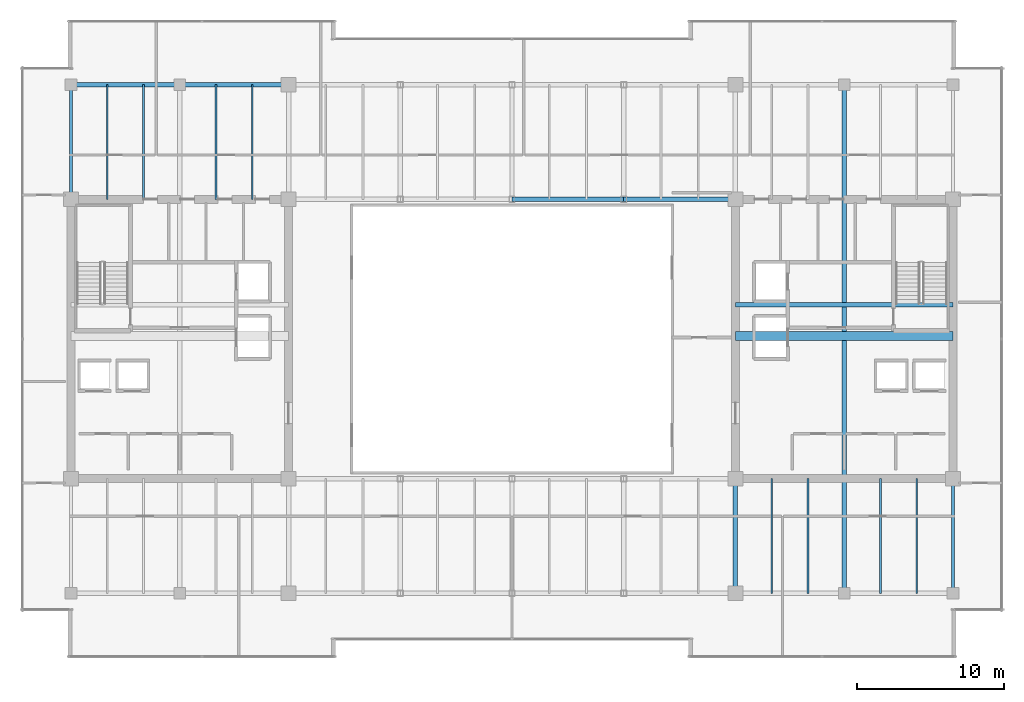
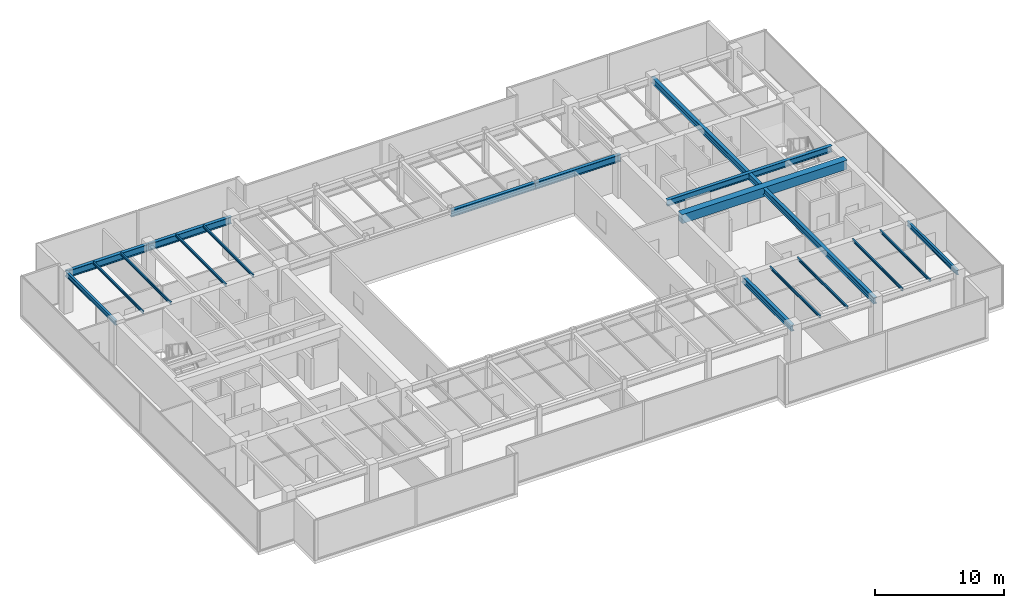
# One storey, part 14 of 33: 18 beams.
"""IFC4 building model written with IfcOpenShell, lengths in metres."""

from ifc_helpers import new_model, si_unit, direction, frame, origin, origin_2d, place, context, subcontext, project, spatial, rectangle, i_section, extrude, source, transform, mapped, material, material_profile, profile_set, type_object, type_shapes, element, save


model = new_model("IFC4")

# Units and contexts
model_context = context("Model", 3, precision=1e-05, world=origin(), true_north=direction((0.0, 1.0)))
body_context = subcontext(model_context, "Body", "Model", "MODEL_VIEW")
ifc_project = project(units=[si_unit("LENGTHUNIT", "METRE"), si_unit("AREAUNIT", "SQUARE_METRE"), si_unit("VOLUMEUNIT", "CUBIC_METRE"), si_unit("PLANEANGLEUNIT", "RADIAN"), si_unit("MASSUNIT", "GRAM", prefix="KILO")], contexts=[model_context])

# Site, building, storey
site_placement = place(None, origin())
site = spatial("IfcSite", under=ifc_project, at=site_placement, CompositionType="ELEMENT")
building_placement = place(site_placement, origin())
building = spatial("IfcBuilding", under=site, at=building_placement, Name="Haelvirn Gate Laboratories", CompositionType="ELEMENT")
storey_placement = place(building_placement, frame((0.0, 0.0, 258.800048828125)))
storey = spatial("IfcBuildingStorey", under=building, at=storey_placement, Name="L62", CompositionType="ELEMENT", Elevation=258.800048828125)

# Beams
ifc_material_1 = material(Name="Steel SM355", Category="steel")
ifc_material_profile_1 = material_profile(ifc_material_1, i_section(OverallWidth=0.300048828125, OverallDepth=0.587890625, WebThickness=0.011962890625, FlangeThickness=0.02001953125, at=origin_2d()), Name="H-588x300x12x20")
ifc_profile_set_1 = profile_set([ifc_material_profile_1], Name="Steel SM355")
beam_type_1 = type_object("IfcBeamType", Name="BM-G-588", PredefinedType="BEAM", material=ifc_profile_set_1)
shared_shape_1 = source(origin(), body_context, "Body", "SweptSolid", [
    extrude(i_section(OverallWidth=0.300048828125, OverallDepth=0.587890625, WebThickness=0.011962890625, FlangeThickness=0.02001953125, at=origin_2d()), origin(), (0.0, 0.0, 1.0), 14.7998046875),
])
beam_1_placement = place(storey_placement, frame((52.60009765625, 26.6201171875, 3.505859375), z_axis=(1.0, 0.0, 0.0), x_axis=(0.0, 1.0, 0.0)))
element("IfcBeam", 1, at=beam_1_placement, inside=storey, type_object=beam_type_1, Name="L62 Stair ST2 Landing Header", PredefinedType="BEAM", context=body_context, shape_type="MappedRepresentation", body=[
    mapped(shared_shape_1, transform((0.0, 0.0, 0.0), scale=1.0)),
])
shared_shape_2 = source(origin(), body_context, "Body", "SweptSolid", [
    extrude(i_section(OverallWidth=0.300048828125, OverallDepth=0.587890625, WebThickness=0.011962890625, FlangeThickness=0.02001953125, at=origin_2d()), origin(), (0.0, 0.0, 1.0), 34.60009765625),
])
beam_2_placement = place(storey_placement, frame((60.0, 7.0, 3.505859375), z_axis=(0.0, 1.0, 0.0), x_axis=(-1.0, 0.0, 0.0)))
element("IfcBeam", 2, at=beam_2_placement, inside=storey, type_object=beam_type_1, Name="L62 Frame Girder X60.0 (7.0-41.6)", PredefinedType="BEAM", context=body_context, shape_type="MappedRepresentation", body=[
    mapped(shared_shape_2, transform((0.0, 0.0, 0.0), scale=1.0)),
])
shared_shape_3 = source(origin(), body_context, "Body", "SweptSolid", [
    extrude(i_section(OverallWidth=0.300048828125, OverallDepth=0.587890625, WebThickness=0.011962890625, FlangeThickness=0.02001953125, at=origin_2d()), origin(), (0.0, 0.0, 1.0), 7.800048828125),
])
type_shapes(beam_type_1, [shared_shape_1, shared_shape_2, shared_shape_3])
beam_3_placement = place(storey_placement, frame((52.60009765625, 7.0, 3.505859375), z_axis=(0.0, 1.0, 0.0), x_axis=(-1.0, 0.0, 0.0)))
element("IfcBeam", 3, at=beam_3_placement, inside=storey, type_object=beam_type_1, Name="L62 Frame Girder X52.6 (7.0-14.8)", PredefinedType="BEAM", context=body_context, shape_type="MappedRepresentation", body=[
    mapped(shared_shape_3, transform((0.0, 0.0, 0.0), scale=1.0)),
])
ifc_material_2 = material(Name="Concrete C50/60", Category="concrete")
ifc_material_profile_2 = material_profile(ifc_material_2, rectangle(XDim=0.60009765625, YDim=0.85009765625, at=origin_2d()), Name="RCB-600x850")
ifc_profile_set_2 = profile_set([ifc_material_profile_2], Name="Concrete C50/60")
beam_type_2 = type_object("IfcBeamType", Name="BM-RCB-850", PredefinedType="LINTEL", material=ifc_profile_set_2)
shared_shape_4 = source(origin(), body_context, "Body", "SweptSolid", [
    extrude(rectangle(XDim=0.60009765625, YDim=0.85009765625, at=origin_2d()), origin(), (0.0, 0.0, 1.0), 14.7998046875),
])
type_shapes(beam_type_2, [shared_shape_4])
beam_4_placement = place(storey_placement, frame((52.60009765625, 24.5, 3.375), z_axis=(1.0, 0.0, 0.0), x_axis=(0.0, 1.0, 0.0)))
element("IfcBeam", 4, at=beam_4_placement, inside=storey, type_object=beam_type_2, Name="L62 East Core Coupling Beam", PredefinedType="LINTEL", context=body_context, shape_type="MappedRepresentation", body=[
    mapped(shared_shape_4, transform((0.0, 0.0, 0.0), scale=1.0)),
])
ifc_material_profile_3 = material_profile(ifc_material_1, i_section(OverallWidth=0.300048828125, OverallDepth=0.64990234375, WebThickness=0.012939453125, FlangeThickness=0.02197265625, at=origin_2d()), Name="H-650x300x13x22")
ifc_profile_set_3 = profile_set([ifc_material_profile_3], Name="Steel SM355")
beam_type_3 = type_object("IfcBeamType", Name="BM-G-650", PredefinedType="BEAM", material=ifc_profile_set_3)
shared_shape_5 = source(origin(), body_context, "Body", "SweptSolid", [
    extrude(i_section(OverallWidth=0.300048828125, OverallDepth=0.64990234375, WebThickness=0.012939453125, FlangeThickness=0.02197265625, at=origin_2d()), origin(), (0.0, 0.0, 1.0), 7.400146484375),
])
beam_5_placement = place(storey_placement, frame((7.39990234375, 41.60009765625, 3.474853515625), z_axis=(1.0, 0.0, 0.0), x_axis=(0.0, 1.0, 0.0)))
element("IfcBeam", 5, at=beam_5_placement, inside=storey, type_object=beam_type_3, Name="L62 Primary Girder Y41.6 (7.4-14.8)", PredefinedType="BEAM", context=body_context, shape_type="MappedRepresentation", body=[
    mapped(shared_shape_5, transform((0.0, 0.0, 0.0), scale=1.0)),
])
shared_shape_6 = source(origin(), body_context, "Body", "SweptSolid", [
    extrude(i_section(OverallWidth=0.300048828125, OverallDepth=0.64990234375, WebThickness=0.012939453125, FlangeThickness=0.02197265625, at=origin_2d()), origin(), (0.0, 0.0, 1.0), 7.39990234375),
])
beam_6_placement = place(storey_placement, frame((14.800048828125, 41.60009765625, 3.474853515625), z_axis=(1.0, 0.0, 0.0), x_axis=(0.0, 1.0, 0.0)))
element("IfcBeam", 6, at=beam_6_placement, inside=storey, type_object=beam_type_3, Name="L62 Primary Girder Y41.6 (14.8-22.2)", PredefinedType="BEAM", context=body_context, shape_type="MappedRepresentation", body=[
    mapped(shared_shape_6, transform((0.0, 0.0, 0.0), scale=1.0)),
])
shared_shape_7 = source(origin(), body_context, "Body", "SweptSolid", [
    extrude(i_section(OverallWidth=0.300048828125, OverallDepth=0.64990234375, WebThickness=0.012939453125, FlangeThickness=0.02197265625, at=origin_2d()), origin(), (0.0, 0.0, 1.0), 7.60009765625),
])
type_shapes(beam_type_3, [shared_shape_5, shared_shape_6, shared_shape_7])
for number, where, z_axis, x_axis, name in (
    (7, (37.39990234375, 33.800048828125, 3.474853515625), (1.0, 0.0, 0.0), (0.0, 1.0, 0.0), "L62 Primary Girder Y33.8 (37.4-45.0)"),
    (8, (45.0, 33.800048828125, 3.474853515625), (1.0, 0.0, 0.0), (0.0, 1.0, 0.0), "L62 Primary Girder Y33.8 (45.0-52.6)"),
):
    element("IfcBeam", number, at=place(storey_placement, frame(where, z_axis=z_axis, x_axis=x_axis)), inside=storey, type_object=beam_type_3, Name=name, PredefinedType="BEAM", context=body_context, shape_type="MappedRepresentation", body=[
        mapped(shared_shape_7, transform((0.0, 0.0, 0.0), scale=1.0)),
    ])
ifc_material_profile_4 = material_profile(ifc_material_1, i_section(OverallWidth=0.199951171875, OverallDepth=0.449951171875, WebThickness=0.009033203125, FlangeThickness=0.013916015625, at=origin_2d()), Name="H-450x200x9x14")
ifc_profile_set_4 = profile_set([ifc_material_profile_4], Name="Steel SM355")
beam_type_4 = type_object("IfcBeamType", Name="BM-SP-450", PredefinedType="SPANDREL", material=ifc_profile_set_4)
shared_shape_8 = source(origin(), body_context, "Body", "SweptSolid", [
    extrude(i_section(OverallWidth=0.199951171875, OverallDepth=0.449951171875, WebThickness=0.009033203125, FlangeThickness=0.013916015625, at=origin_2d()), origin(), (0.0, 0.0, 1.0), 7.800048828125),
])
type_shapes(beam_type_4, [shared_shape_8])
for number, where, z_axis, x_axis, name in (
    (9, (7.39990234375, 33.800048828125, 3.574951171875), (0.0, 1.0, 0.0), (-1.0, 0.0, 0.0), "L62 Perimeter Spandrel X7.4 (33.8-41.6)"),
    (10, (67.39990234375, 7.0, 3.574951171875), (0.0, 1.0, 0.0), (-1.0, 0.0, 0.0), "L62 Perimeter Spandrel X67.4 (7.0-14.8)"),
):
    element("IfcBeam", number, at=place(storey_placement, frame(where, z_axis=z_axis, x_axis=x_axis)), inside=storey, type_object=beam_type_4, Name=name, PredefinedType="SPANDREL", context=body_context, shape_type="MappedRepresentation", body=[
        mapped(shared_shape_8, transform((0.0, 0.0, 0.0), scale=1.0)),
    ])
ifc_material_profile_5 = material_profile(ifc_material_1, i_section(OverallWidth=0.125, OverallDepth=0.25, WebThickness=0.006103515625, FlangeThickness=0.009033203125, at=origin_2d()), Name="H-250x125x6x9")
ifc_profile_set_5 = profile_set([ifc_material_profile_5], Name="Steel SM355")
beam_type_5 = type_object("IfcBeamType", Name="BM-J-250", PredefinedType="JOIST", material=ifc_profile_set_5)
shared_shape_9 = source(origin(), body_context, "Body", "SweptSolid", [
    extrude(i_section(OverallWidth=0.125, OverallDepth=0.25, WebThickness=0.006103515625, FlangeThickness=0.009033203125, at=origin_2d()), origin(), (0.0, 0.0, 1.0), 7.800048828125),
])
type_shapes(beam_type_5, [shared_shape_9])
for number, where, z_axis, x_axis, name in (
    (11, (9.8701171875, 33.800048828125, 3.675048828125), (0.0, 1.0, 0.0), (-1.0, 0.0, 0.0), "L62 Composite Lab Joist North X9.87"),
    (12, (12.330078125, 33.800048828125, 3.675048828125), (0.0, 1.0, 0.0), (-1.0, 0.0, 0.0), "L62 Composite Lab Joist North X12.33"),
    (13, (17.27001953125, 33.800048828125, 3.675048828125), (0.0, 1.0, 0.0), (-1.0, 0.0, 0.0), "L62 Composite Lab Joist North X17.27"),
    (14, (19.72998046875, 33.800048828125, 3.675048828125), (0.0, 1.0, 0.0), (-1.0, 0.0, 0.0), "L62 Composite Lab Joist North X19.73"),
    (15, (55.070068359375, 7.0, 3.675048828125), (0.0, 1.0, 0.0), (-1.0, 0.0, 0.0), "L62 Composite Lab Joist South X55.07"),
    (16, (57.530029296875, 7.0, 3.675048828125), (0.0, 1.0, 0.0), (-1.0, 0.0, 0.0), "L62 Composite Lab Joist South X57.53"),
    (17, (62.469970703125, 7.0, 3.675048828125), (0.0, 1.0, 0.0), (-1.0, 0.0, 0.0), "L62 Composite Lab Joist South X62.47"),
    (18, (64.929931640625, 7.0, 3.675048828125), (0.0, 1.0, 0.0), (-1.0, 0.0, 0.0), "L62 Composite Lab Joist South X64.93"),
):
    element("IfcBeam", number, at=place(storey_placement, frame(where, z_axis=z_axis, x_axis=x_axis)), inside=storey, type_object=beam_type_5, Name=name, PredefinedType="JOIST", context=body_context, shape_type="MappedRepresentation", body=[
        mapped(shared_shape_9, transform((0.0, 0.0, 0.0), scale=1.0)),
    ])

save(model, "model.ifc")
